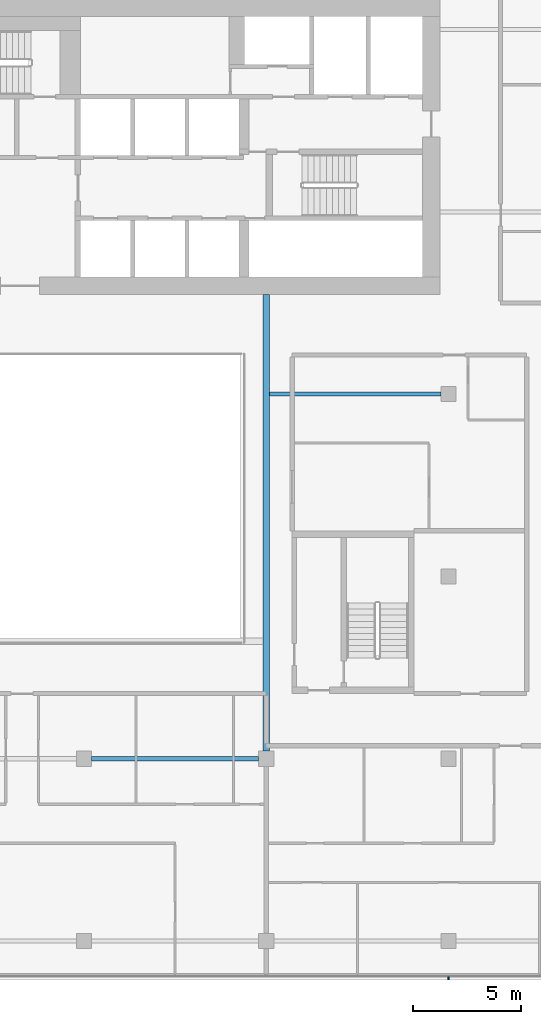
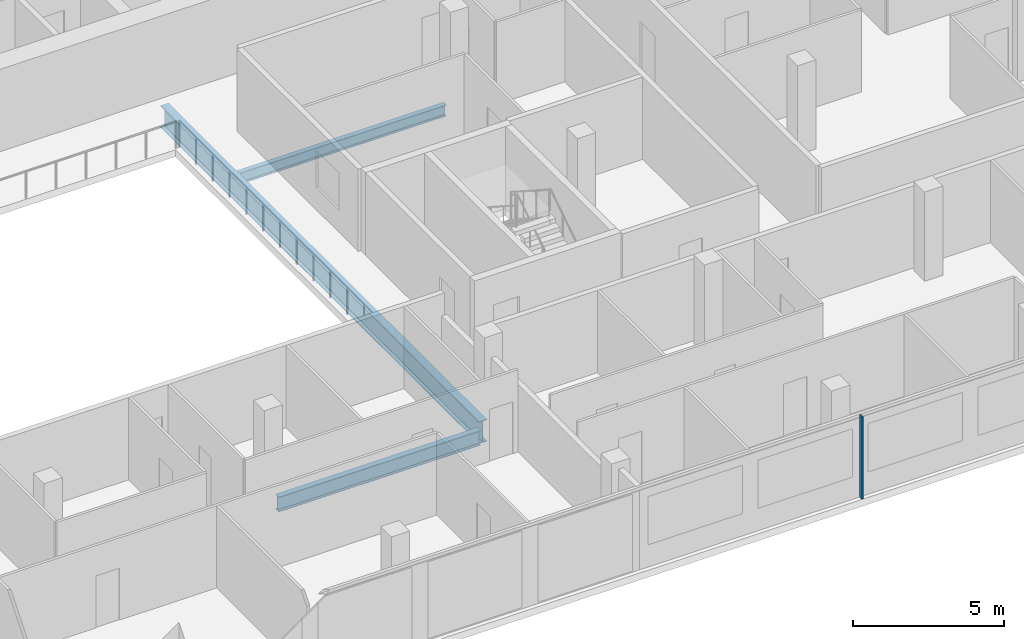
# One storey, part 6 of 27: 3 beams, 1 member, 1 element without a shape of its own.
"""IFC4 building model written with IfcOpenShell, lengths in metres."""

import ifcopenshell
import ifcopenshell.guid

model = None  # the IFC model being written
_history = None  # IfcOwnerHistory: only IFC2X3 demands one
_inside = {}  # id of a spatial element -> (the spatial element, [elements in it])
_under = {}  # id of a project, library or spatial element -> (it, [spatial elements below it])
_declared = {}  # id of a project -> (the project, [libraries it declares])
_typed = {}  # id of a type object -> (the type object, [elements of that type])
_made_of = {}  # id of a material, layer set ... -> (it, [elements and type objects made of it])


def new_model(schema):
    """Start an empty IFC model of exactly this schema.

    Asked for "IFC4X3", IfcOpenShell would pick the latest addendum, in which some entities
    have other attributes; the version numbers below select the first issue.
    IFC2X3 requires an IfcOwnerHistory on every rooted entity: one is made here for all.
    """
    global model, _history
    if schema == "IFC4X3":
        model = ifcopenshell.file(schema_version=(4, 3, 0, 0))
    else:
        model = ifcopenshell.file(schema=schema)
    _inside.clear()
    _under.clear()
    _declared.clear()
    _typed.clear()
    _made_of.clear()
    _history = None
    if model.schema == "IFC2X3":
        org = make("IfcOrganization", Name="unknown")
        user = make(
            "IfcPersonAndOrganization",
            ThePerson=make("IfcPerson", FamilyName="unknown"),
            TheOrganization=org,
        )
        app = make(
            "IfcApplication",
            ApplicationDeveloper=org,
            Version="unknown",
            ApplicationFullName="unknown",
            ApplicationIdentifier="unknown",
        )
        _history = make(
            "IfcOwnerHistory",
            OwningUser=user,
            OwningApplication=app,
            ChangeAction="ADDED",
            CreationDate=0,
        )
    return model


def make(cls, **values):
    """One entity of the class cls with the attributes given. An attribute that is None is left unset."""
    return model.create_entity(
        cls, **{name: value for name, value in values.items() if value is not None}
    )


def rooted(cls, **values):
    """An entity with a GlobalId (a new one), such as an element, a storey or a relation."""
    return make(cls, GlobalId=ifcopenshell.guid.new(), OwnerHistory=_history, **values)


def si_unit(unit_type, name, prefix=None):
    """IfcSIUnit, for example si_unit("LENGTHUNIT", "METRE", prefix="MILLI")."""
    return make("IfcSIUnit", UnitType=unit_type, Prefix=prefix, Name=name)


def assignment(units):
    """IfcUnitAssignment: the units of a project."""
    return None if units is None else make("IfcUnitAssignment", Units=units)


def point(xyz):
    """IfcCartesianPoint."""
    return None if xyz is None else make("IfcCartesianPoint", Coordinates=xyz)


def direction(xyz):
    """IfcDirection."""
    return None if xyz is None else make("IfcDirection", DirectionRatios=xyz)


def frame(location, z_axis=None, x_axis=None):
    """IfcAxis2Placement3D, a coordinate frame: its origin and axes. An axis left out is left unset."""
    return make(
        "IfcAxis2Placement3D",
        Location=point(location),
        Axis=direction(z_axis),
        RefDirection=direction(x_axis),
    )


def frame_2d(location, x_axis=None):
    """IfcAxis2Placement2D, a coordinate frame in the plane: its origin and x axis."""
    return make(
        "IfcAxis2Placement2D", Location=point(location), RefDirection=direction(x_axis)
    )


def origin():
    """The frame at (0, 0, 0) with its axes left unset."""
    return frame((0.0, 0.0, 0.0))


def origin_2d():
    """The frame at (0, 0) in the plane with its x axis left unset."""
    return frame_2d((0.0, 0.0))


def place(relative_to, where):
    """IfcLocalPlacement: puts the frame where relative to a parent placement (None: the world)."""
    return make(
        "IfcLocalPlacement", PlacementRelTo=relative_to, RelativePlacement=where
    )


def context(
    kind, dimensions, precision=None, world=None, true_north=None, identifier=None
):
    """IfcGeometricRepresentationContext, for example the 3D "Model" context."""
    return make(
        "IfcGeometricRepresentationContext",
        ContextIdentifier=identifier,
        ContextType=kind,
        CoordinateSpaceDimension=dimensions,
        Precision=precision,
        WorldCoordinateSystem=world,
        TrueNorth=true_north,
    )


def subcontext(parent, identifier, kind, view, scale=None):
    """IfcGeometricRepresentationSubContext, for example "Body" below "Model"."""
    return make(
        "IfcGeometricRepresentationSubContext",
        ContextIdentifier=identifier,
        ContextType=kind,
        ParentContext=parent,
        TargetScale=scale,
        TargetView=view,
    )


def project(units=None, contexts=None):
    """IfcProject with its units and contexts."""
    return rooted(
        "IfcProject",
        Name="project",
        RepresentationContexts=contexts,
        UnitsInContext=assignment(units),
    )


def spatial(cls, under=None, at=None, **own):
    """A site, building, storey or space (cls), placed at a placement, below another one or the project."""
    s = rooted(cls, ObjectPlacement=at, **own)
    if under is not None:
        _under.setdefault(under.id(), (under, []))[1].append(s)
    return s


def profile(cls, at=None, kind="AREA", **sizes):
    """A parametric profile (cls). Its sizes go by their IFC names, for example OverallWidth=200.0."""
    return make(cls, ProfileType=kind, Position=at, **sizes)


def rectangle(**sizes):
    """IfcRectangleProfileDef."""
    return profile("IfcRectangleProfileDef", **sizes)


def i_section(**sizes):
    """IfcIShapeProfileDef."""
    return profile("IfcIShapeProfileDef", **sizes)


def extrude(swept, where, along, depth):
    """IfcExtrudedAreaSolid: the profile swept, set in the frame where, extruded along a direction by depth."""
    return make(
        "IfcExtrudedAreaSolid",
        SweptArea=swept,
        Position=where,
        ExtrudedDirection=direction(along),
        Depth=depth,
    )


def shape(context_of_items, identifier, shape_type, items):
    """IfcShapeRepresentation: the items that make up one representation, for example the "Body"."""
    return make(
        "IfcShapeRepresentation",
        ContextOfItems=context_of_items,
        RepresentationIdentifier=identifier,
        RepresentationType=shape_type,
        Items=items,
    )


def material(Name=None, Category=None):
    """IfcMaterial."""
    return make("IfcMaterial", Name=Name, Category=Category)


def material_profile(
    of_material, cross_section, Name=None, Category=None, Priority=None
):
    """IfcMaterialProfile: a cross section and its material."""
    return make(
        "IfcMaterialProfile",
        Name=Name,
        Material=of_material,
        Profile=cross_section,
        Priority=Priority,
        Category=Category,
    )


def profile_set(profiles, Name=None, composite=None):
    """IfcMaterialProfileSet."""
    return make(
        "IfcMaterialProfileSet",
        Name=Name,
        MaterialProfiles=profiles,
        CompositeProfile=composite,
    )


def made_of(thing, what):
    """Note that an element or type object is made of a material, layer set ...; save() writes the relation."""
    if what is not None:
        _made_of.setdefault(what.id(), (what, []))[1].append(thing)
    return thing


def type_object(cls, material=None, **own):
    """A type object (cls), such as IfcWallType, which elements share."""
    return made_of(rooted(cls, **own), material)


def element(
    cls,
    number,
    at=None,
    inside=None,
    cuts=None,
    type_object=None,
    material=None,
    context=None,
    identifier="Body",
    shape_type=None,
    held_by="IfcProductDefinitionShape",
    body=None,
    shapes=None,
    **own,
):
    """One element of the class cls, such as IfcWall. Its Tag is "e" and its number.

    at: its placement. inside: the storey or other place that contains it. cuts: it is an
    opening in that element (IfcRelVoidsElement). A single representation is given by context,
    identifier, shape_type and body (its items); several are given by shapes. held_by: the class
    of the entity that holds the representations. save() writes the other relations.
    """
    e = rooted(cls, Tag="e%d" % number, ObjectPlacement=at, **own)
    if body is not None:
        shapes = [shape(context, identifier, shape_type, body)]
    if shapes is not None:
        e.Representation = make(held_by, Representations=shapes)
    if inside is not None:
        _inside.setdefault(inside.id(), (inside, []))[1].append(e)
    if cuts is not None:
        rooted(
            "IfcRelVoidsElement", RelatingBuildingElement=cuts, RelatedOpeningElement=e
        )
    if type_object is not None:
        _typed.setdefault(type_object.id(), (type_object, []))[1].append(e)
    return made_of(e, material)


def aggregate(whole, parts):
    """IfcRelAggregates: a whole, such as a stair, and the parts it consists of."""
    return rooted("IfcRelAggregates", RelatingObject=whole, RelatedObjects=parts)


def save(model, path):
    """Write the relations noted so far, then the file.

    IfcRelAggregates (storeys below a building ...), IfcRelContainedInSpatialStructure (elements
    in a storey), IfcRelDefinesByType, IfcRelAssociatesMaterial and IfcRelDeclares: one each for
    every whole, place, type object, material and project.
    """
    for whole, parts in _under.values():
        aggregate(whole, parts)
    for where, things in _inside.values():
        rooted(
            "IfcRelContainedInSpatialStructure",
            RelatedElements=things,
            RelatingStructure=where,
        )
    for kind, things in _typed.values():
        rooted("IfcRelDefinesByType", RelatedObjects=things, RelatingType=kind)
    for what, things in _made_of.values():
        rooted("IfcRelAssociatesMaterial", RelatedObjects=things, RelatingMaterial=what)
    for by, libraries in _declared.values():
        rooted("IfcRelDeclares", RelatingContext=by, RelatedDefinitions=libraries)
    model.write(path)


model = new_model("IFC4")

# Units and contexts
model_context = context("Model", 3, precision=1e-05, world=origin(), true_north=direction((0.0, 1.0)))
body_context = subcontext(model_context, "Body", "Model", "MODEL_VIEW")
ifc_project = project(units=[si_unit("LENGTHUNIT", "METRE"), si_unit("AREAUNIT", "SQUARE_METRE"), si_unit("VOLUMEUNIT", "CUBIC_METRE"), si_unit("PLANEANGLEUNIT", "RADIAN"), si_unit("MASSUNIT", "GRAM", prefix="KILO")], contexts=[model_context])

# Site, building, storey
site_placement = place(None, origin())
site = spatial("IfcSite", under=ifc_project, at=site_placement, CompositionType="ELEMENT")
building_placement = place(site_placement, origin())
building = spatial("IfcBuilding", under=site, at=building_placement, Name="Saffron Gate Tower", CompositionType="ELEMENT")
storey_placement = place(building_placement, frame((0.0, 0.0, 183.449951171875)))
storey = spatial("IfcBuildingStorey", under=building, at=storey_placement, Name="L45", CompositionType="ELEMENT", Elevation=183.449951171875)

# Beams
ifc_material_1 = material(Name="Structural steel S355", Category="steel")
ifc_material_profile_1 = material_profile(ifc_material_1, i_section(OverallWidth=0.219970703125, OverallDepth=0.60009765625, WebThickness=0.011962890625, FlangeThickness=0.01904296875, FilletRadius=0.02392578125, at=origin_2d()))
ifc_profile_set_1 = profile_set([ifc_material_profile_1], Name="Structural steel S355")
beam_type_1 = type_object("IfcBeamType", Name="B15 IPE 600", PredefinedType="BEAM", material=ifc_profile_set_1)
beam_1_placement = place(storey_placement, frame((92.14990234375, 40.199951171875, -0.579833984375), z_axis=(1.0, 0.0, 0.0), x_axis=(0.0, 1.0, 0.0)))
element("IfcBeam", 1, at=beam_1_placement, inside=storey, type_object=beam_type_1, Name="B15 FLOOR GIRDER", PredefinedType="BEAM", context=body_context, shape_type="SweptSolid", body=[
    extrude(i_section(OverallWidth=0.219970703125, OverallDepth=0.60009765625, WebThickness=0.011962890625, FlangeThickness=0.01904296875, FilletRadius=0.02392578125, at=origin_2d()), origin(), (0.0, 0.0, 1.0), 7.7001953125),
])
ifc_material_profile_2 = material_profile(ifc_material_1, i_section(OverallWidth=0.300048828125, OverallDepth=0.889892578125, WebThickness=0.01611328125, FlangeThickness=0.030029296875, FilletRadius=0.030029296875, at=origin_2d()))
ifc_profile_set_2 = profile_set([ifc_material_profile_2], Name="Structural steel S355")
beam_type_2 = type_object("IfcBeamType", Name="B19 HEA 900", PredefinedType="BEAM", material=ifc_profile_set_2)
beam_2_placement = place(storey_placement, frame((100.199951171875, 40.550048828125, -0.724853515625), z_axis=(0.0, 1.0, 0.0), x_axis=(-1.0, 0.0, 0.0)))
element("IfcBeam", 2, at=beam_2_placement, inside=storey, type_object=beam_type_2, Name="B19 ATRIUM GIRDER", PredefinedType="BEAM", context=body_context, shape_type="SweptSolid", body=[
    extrude(i_section(OverallWidth=0.300048828125, OverallDepth=0.889892578125, WebThickness=0.01611328125, FlangeThickness=0.030029296875, FilletRadius=0.030029296875, at=origin_2d()), origin(), (0.0, 0.0, 1.0), 21.050048828125),
])
ifc_material_profile_3 = material_profile(ifc_material_1, i_section(OverallWidth=0.18994140625, OverallDepth=0.449951171875, WebThickness=0.009521484375, FlangeThickness=0.0146484375, FilletRadius=0.02099609375, at=origin_2d()))
ifc_profile_set_3 = profile_set([ifc_material_profile_3], Name="Structural steel S355")
beam_type_3 = type_object("IfcBeamType", Name="B6 IPE 450", PredefinedType="BEAM", material=ifc_profile_set_3)
beam_3_placement = place(storey_placement, frame((108.25, 57.0, -0.5048828125), z_axis=(-1.0, 0.0, 0.0), x_axis=(0.0, -1.0, 0.0)))
element("IfcBeam", 3, at=beam_3_placement, inside=storey, type_object=beam_type_3, Name="B6 CORE TIE BEAM", PredefinedType="BEAM", context=body_context, shape_type="SweptSolid", body=[
    extrude(i_section(OverallWidth=0.18994140625, OverallDepth=0.449951171875, WebThickness=0.009521484375, FlangeThickness=0.0146484375, FilletRadius=0.02099609375, at=origin_2d()), origin(), (0.0, 0.0, 1.0), 7.89990234375),
])

# Curtain wall, member
ifc_material_2 = material(Name="Aluminium, bronze anodised", Category="aluminium")
curtain_wall_type = type_object("IfcCurtainWallType", Name="CWS1 curtain wall front facade", PredefinedType="NOTDEFINED", material=ifc_material_2)
curtain_wall_placement = place(storey_placement, origin())
curtain_wall = element("IfcCurtainWall", 4, at=curtain_wall_placement, inside=storey, type_object=curtain_wall_type, Name="CWS1 run 1", PredefinedType="NOTDEFINED")
ifc_material_profile_4 = material_profile(ifc_material_2, rectangle(XDim=0.159912109375, YDim=0.06005859375, at=origin_2d()))
ifc_profile_set_4 = profile_set([ifc_material_profile_4], Name="Aluminium, bronze anodised")
member_type = type_object("IfcMemberType", Name="CWS1 mullion 60x160", PredefinedType="MULLION", material=ifc_profile_set_4)
member_placement = place(storey_placement, frame((108.60009765625, 30.080078125, 0.0), z_axis=(0.0, 0.0, 1.0), x_axis=(0.0, 1.0, 0.0)))
member = element("IfcMember", 5, at=member_placement, type_object=member_type, Name="CWS1 mullion 8", PredefinedType="MULLION", context=body_context, shape_type="SweptSolid", body=[
    extrude(rectangle(XDim=0.159912109375, YDim=0.06005859375, at=origin_2d()), origin(), (0.0, 0.0, 1.0), 3.320068359375),
])
aggregate(curtain_wall, [member])

save(model, "model.ifc")
